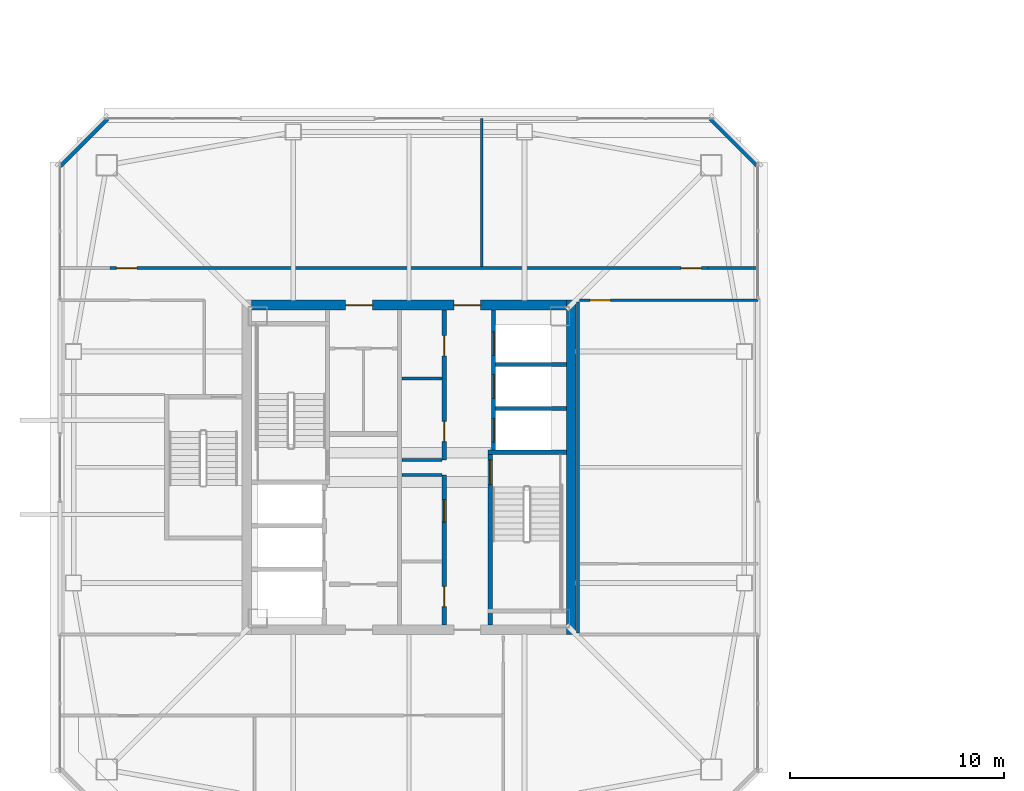
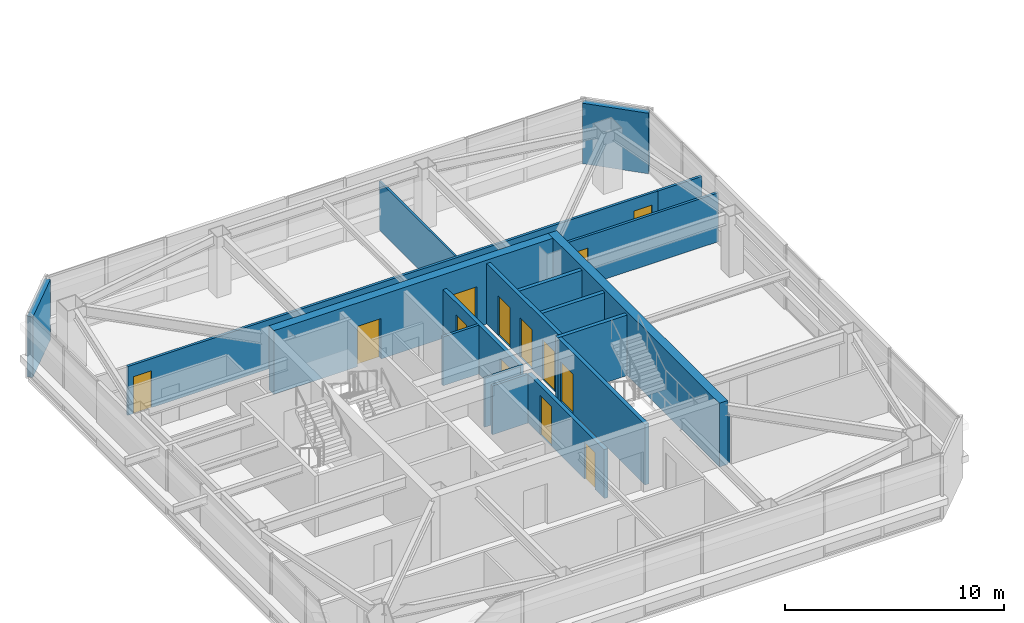
# One storey, part 35 of 44: 19 walls, 13 doors, 13 openings.
"""IFC4 building model written with IfcOpenShell, lengths in metres."""

from ifc_helpers import new_model, si_unit, direction, frame, frame_2d, origin, place, context, subcontext, project, spatial, rectangle, extrude, material, layer, layer_set, type_object, element, fill, save


model = new_model("IFC4")

# Units and contexts
model_context = context("Model", 3, precision=1e-05, world=origin(), true_north=direction((0.0, 1.0)))
body_context = subcontext(model_context, "Body", "Model", "MODEL_VIEW")
ifc_project = project(units=[si_unit("LENGTHUNIT", "METRE"), si_unit("AREAUNIT", "SQUARE_METRE"), si_unit("VOLUMEUNIT", "CUBIC_METRE"), si_unit("PLANEANGLEUNIT", "RADIAN"), si_unit("MASSUNIT", "GRAM", prefix="KILO")], contexts=[model_context])

# Site, building, storey
site_placement = place(None, origin())
site = spatial("IfcSite", under=ifc_project, at=site_placement, CompositionType="ELEMENT")
building_placement = place(site_placement, origin())
building = spatial("IfcBuilding", under=site, at=building_placement, Name="Tashvorn Skyway Center", CompositionType="ELEMENT")
storey_placement = place(building_placement, frame((0.0, 0.0, 211.300048828125)))
storey = spatial("IfcBuildingStorey", under=building, at=storey_placement, Name="L57", CompositionType="ELEMENT", Elevation=211.300048828125)

# Wall
ifc_material_1 = material(Name="Concrete C50/60", Category="concrete")
ifc_layer_1 = layer(ifc_material_1, 0.449951171875)
ifc_layer_set_1 = layer_set([ifc_layer_1], Name="Concrete C50/60")
wall_type_1 = type_object("IfcWallType", Name="WALL-CORE-450", PredefinedType="SHEAR", material=ifc_layer_set_1)
wall_1_placement = place(storey_placement, frame((49.574951171875, 39.800048828125, 0.0), z_axis=(0.0, 0.0, 1.0), x_axis=(0.0, -1.0, 0.0)))
element("IfcWall", 1, at=wall_1_placement, inside=storey, type_object=wall_type_1, Name="Tower 1 L57 East Core Shear Wall", PredefinedType="SHEAR", context=body_context, shape_type="SweptSolid", body=[
    extrude(rectangle(XDim=15.60009765625, YDim=0.449951171875, at=frame_2d((7.800048828125, 0.0))), origin(), (0.0, 0.0, 1.0), 3.550048828125),
])

# Wall, openings, doors
wall_2_placement = place(storey_placement, frame((34.64990234375, 39.574951171875, 0.0), z_axis=(0.0, 0.0, 1.0), x_axis=(1.0, 0.0, 0.0)))
wall_2 = element("IfcWall", 2, at=wall_2_placement, inside=storey, type_object=wall_type_1, Name="Tower 1 L57 North Core Shear Wall", PredefinedType="SHEAR", context=body_context, shape_type="SweptSolid", body=[
    extrude(rectangle(XDim=14.7001953125, YDim=0.449951171875, at=frame_2d((7.35009765625, 0.0))), origin(), (0.0, 0.0, 1.0), 3.550048828125),
])
opening_1_placement = place(wall_2_placement, frame((4.39990234375, 0.0, 0.0)))
opening_1 = element("IfcOpeningElement", 3, at=opening_1_placement, cuts=wall_2, Name="Opening D-FFL-1250", PredefinedType="OPENING", context=body_context, shape_type="SweptSolid", body=[
    extrude(rectangle(XDim=1.25, YDim=2.25, at=frame_2d((0.625, 1.125))), frame((0.0, 0.23486328125, 0.0), z_axis=(0.0, -1.0, 0.0), x_axis=(1.0, 0.0, 0.0)), (0.0, 0.0, 1.0), 0.469970703125),
])
opening_2_placement = place(wall_2_placement, frame((9.449951171875, 0.0, 0.0)))
opening_2 = element("IfcOpeningElement", 4, at=opening_2_placement, cuts=wall_2, Name="Opening D-FFL-1250", PredefinedType="OPENING", context=body_context, shape_type="SweptSolid", body=[
    extrude(rectangle(XDim=1.25, YDim=2.25, at=frame_2d((0.625, 1.125))), frame((0.0, 0.23486328125, 0.0), z_axis=(0.0, -1.0, 0.0), x_axis=(1.0, 0.0, 0.0)), (0.0, 0.0, 1.0), 0.469970703125),
])
ifc_material_2 = material(Name="Hollow galvanized steel fire door assembly", Category="steel")
door_type_1 = type_object("IfcDoorType", Name="DOOR-FFL-1250", OperationType="NOTDEFINED", PredefinedType="DOOR", material=ifc_material_2)
door_1_placement = place(opening_1_placement, origin())
door_1 = element("IfcDoor", 5, at=door_1_placement, inside=storey, type_object=door_type_1, Name="Tower 1 L57 Core North Service Lobby Door", OperationType="SINGLE_SWING_LEFT", OverallHeight=2.25, OverallWidth=1.25, PredefinedType="DOOR", context=body_context, shape_type="SweptSolid", body=[
    extrude(rectangle(XDim=1.25, YDim=2.25, at=frame_2d((0.625, 1.125))), frame((0.0, 0.02490234375, 0.0), z_axis=(0.0, -1.0, 0.0), x_axis=(1.0, 0.0, 0.0)), (0.0, 0.0, 1.0), 0.050048828125),
])
fill(opening_1, door_1)
door_2_placement = place(opening_2_placement, origin())
door_2 = element("IfcDoor", 6, at=door_2_placement, inside=storey, type_object=door_type_1, Name="Tower 1 L57 Core North Lift Lobby Door", OperationType="SINGLE_SWING_RIGHT", OverallHeight=2.25, OverallWidth=1.25, PredefinedType="DOOR", context=body_context, shape_type="SweptSolid", body=[
    extrude(rectangle(XDim=1.25, YDim=2.25, at=frame_2d((0.625, 1.125))), frame((0.0, 0.02490234375, 0.0), z_axis=(0.0, -1.0, 0.0), x_axis=(1.0, 0.0, 0.0)), (0.0, 0.0, 1.0), 0.050048828125),
])
fill(opening_2, door_2)

# Walls
ifc_material_3 = material(Name="Precast concrete C40/50", Category="concrete")
ifc_layer_2 = layer(ifc_material_3, 0.280029296875)
ifc_layer_set_2 = layer_set([ifc_layer_2], Name="Precast concrete C40/50")
wall_type_2 = type_object("IfcWallType", Name="WALL-EXT-280", PredefinedType="SOLIDWALL", material=ifc_layer_set_2)
for number, where, z_axis, x_axis, name in (
    (7, (25.699951171875, 46.10009765625, 0.0), (0.0, 0.0, 1.0), (0.707106781187, 0.707106781187, 0.0), "Tower 1 L57 NW Precast Chamfer Wall"),
    (8, (56.10009765625, 48.300048828125, 0.0), (0.0, 0.0, 1.0), (0.707106781187, -0.707106781187, 0.0), "Tower 1 L57 NE Precast Chamfer Wall"),
):
    element("IfcWall", number, at=place(storey_placement, frame(where, z_axis=z_axis, x_axis=x_axis)), inside=storey, type_object=wall_type_2, Name=name, PredefinedType="SOLIDWALL", context=body_context, shape_type="SweptSolid", body=[
        extrude(rectangle(XDim=3.111083984375, YDim=0.280029296875, at=frame_2d((1.5556640625, 0.0))), origin(), (0.0, 0.0, 1.0), 3.369873046875),
    ])
ifc_material_4 = material(Name="Gypsum board on cold-formed steel stud framing", Category="steel")
ifc_layer_3 = layer(ifc_material_4, 0.110107421875)
ifc_layer_set_3 = layer_set([ifc_layer_3], Name="Gypsum board on cold-formed steel stud framing")
wall_type_3 = type_object("IfcWallType", Name="WALL-PART-110", PredefinedType="PARTITIONING", material=ifc_layer_set_3)
wall_3_placement = place(storey_placement, frame((45.39990234375, 41.3798828125, 0.0), z_axis=(0.0, 0.0, 1.0), x_axis=(0.0, 1.0, 0.0)))
element("IfcWall", 9, at=wall_3_placement, inside=storey, type_object=wall_type_3, Name="Tower 1 L57 North Suite Partition 1", PredefinedType="PARTITIONING", context=body_context, shape_type="SweptSolid", body=[
    extrude(rectangle(XDim=6.900146484375, YDim=0.110107421875, at=frame_2d((3.4501953125, 0.0))), origin(), (0.0, 0.0, 1.0), 2.722900390625),
])

# Wall, openings, doors
ifc_layer_4 = layer(ifc_material_4, 0.135009765625)
ifc_layer_set_4 = layer_set([ifc_layer_4], Name="Gypsum board on cold-formed steel stud framing")
wall_type_4 = type_object("IfcWallType", Name="WALL-PART-135", PredefinedType="PARTITIONING", material=ifc_layer_set_4)
wall_4_placement = place(storey_placement, frame((28.050048828125, 41.300048828125, 0.0), z_axis=(0.0, 0.0, 1.0), x_axis=(1.0, 0.0, 0.0)))
wall_4 = element("IfcWall", 10, at=wall_4_placement, inside=storey, type_object=wall_type_4, Name="Tower 1 L57 North Suite Wall", PredefinedType="PARTITIONING", context=body_context, shape_type="SweptSolid", body=[
    extrude(rectangle(XDim=27.89990234375, YDim=0.135009765625, at=frame_2d((13.949951171875, 0.0))), origin(), (0.0, 0.0, 1.0), 2.722900390625),
])
opening_3_placement = place(wall_4_placement, frame((0.300048828125, 0.0, 0.0)))
opening_3 = element("IfcOpeningElement", 11, at=opening_3_placement, cuts=wall_4, Name="Opening D-INT-950", PredefinedType="OPENING", context=body_context, shape_type="SweptSolid", body=[
    extrude(rectangle(XDim=0.949951171875, YDim=2.050048828125, at=frame_2d((0.47509765625, 1.02490234375))), frame((0.0, 0.077392578125, 0.0), z_axis=(0.0, -1.0, 0.0), x_axis=(1.0, 0.0, 0.0)), (0.0, 0.0, 1.0), 0.155029296875),
])
opening_4_placement = place(wall_4_placement, frame((26.64990234375, 0.0, 0.0)))
opening_4 = element("IfcOpeningElement", 12, at=opening_4_placement, cuts=wall_4, Name="Opening D-INT-950", PredefinedType="OPENING", context=body_context, shape_type="SweptSolid", body=[
    extrude(rectangle(XDim=0.949951171875, YDim=2.050048828125, at=frame_2d((0.47509765625, 1.02490234375))), frame((0.0, 0.077392578125, 0.0), z_axis=(0.0, -1.0, 0.0), x_axis=(1.0, 0.0, 0.0)), (0.0, 0.0, 1.0), 0.155029296875),
])
ifc_material_5 = material(Name="Solid-core architectural oak veneer door")
door_type_2 = type_object("IfcDoorType", Name="DOOR-INT-950", OperationType="NOTDEFINED", PredefinedType="DOOR", material=ifc_material_5)
door_3_placement = place(opening_3_placement, origin())
door_3 = element("IfcDoor", 13, at=door_3_placement, inside=storey, type_object=door_type_2, Name="Tower 1 L57 Wellness Clinic Door", OperationType="SINGLE_SWING_RIGHT", OverallHeight=2.050048828125, OverallWidth=0.949951171875, PredefinedType="DOOR", context=body_context, shape_type="SweptSolid", body=[
    extrude(rectangle(XDim=0.949951171875, YDim=2.050048828125, at=frame_2d((0.47509765625, 1.02490234375))), frame((0.0, 0.02490234375, 0.0), z_axis=(0.0, -1.0, 0.0), x_axis=(1.0, 0.0, 0.0)), (0.0, 0.0, 1.0), 0.050048828125),
])
fill(opening_3, door_3)
door_4_placement = place(opening_4_placement, origin())
door_4 = element("IfcDoor", 14, at=door_4_placement, inside=storey, type_object=door_type_2, Name="Tower 1 L57 Wellness Clinic Door", OperationType="SINGLE_SWING_LEFT", OverallHeight=2.050048828125, OverallWidth=0.949951171875, PredefinedType="DOOR", context=body_context, shape_type="SweptSolid", body=[
    extrude(rectangle(XDim=0.949951171875, YDim=2.050048828125, at=frame_2d((0.47509765625, 1.02490234375))), frame((0.0, 0.02490234375, 0.0), z_axis=(0.0, -1.0, 0.0), x_axis=(1.0, 0.0, 0.0)), (0.0, 0.0, 1.0), 0.050048828125),
])
fill(opening_4, door_4)

# Walls
wall_5_placement = place(storey_placement, frame((55.949951171875, 41.300048828125, 0.0), z_axis=(0.0, 0.0, 1.0), x_axis=(1.0, 0.0, 0.0)))
element("IfcWall", 15, at=wall_5_placement, inside=storey, type_object=wall_type_4, Name="Tower 1 L57 North-East Suite South Wall", PredefinedType="PARTITIONING", context=body_context, shape_type="SweptSolid", body=[
    extrude(rectangle(XDim=2.330078125, YDim=0.135009765625, at=frame_2d((1.1650390625, 0.0))), origin(), (0.0, 0.0, 1.0), 2.722900390625),
])
wall_6_placement = place(storey_placement, frame((49.8798828125, 39.719970703125, 0.0), z_axis=(0.0, 0.0, 1.0), x_axis=(0.0, -1.0, 0.0)))
element("IfcWall", 16, at=wall_6_placement, inside=storey, type_object=wall_type_4, Name="Tower 1 L57 East Inner Suite Wall", PredefinedType="PARTITIONING", context=body_context, shape_type="SweptSolid", body=[
    extrude(rectangle(XDim=15.43994140625, YDim=0.135009765625, at=frame_2d((7.719970703125, 0.0))), origin(), (0.0, 0.0, 1.0), 2.722900390625),
])

# Wall, opening, door
wall_7_placement = place(storey_placement, frame((58.280029296875, 39.800048828125, 0.0), z_axis=(0.0, 0.0, 1.0), x_axis=(-1.0, 0.0, 0.0)))
wall_7 = element("IfcWall", 17, at=wall_7_placement, inside=storey, type_object=wall_type_4, Name="Tower 1 L57 East Suite North Wall", PredefinedType="PARTITIONING", context=body_context, shape_type="SweptSolid", body=[
    extrude(rectangle(XDim=8.320068359375, YDim=0.135009765625, at=frame_2d((4.16015625, 0.0))), origin(), (0.0, 0.0, 1.0), 2.722900390625),
])
opening_5_placement = place(wall_7_placement, frame((6.8798828125, 0.0, 0.0)))
opening_5 = element("IfcOpeningElement", 18, at=opening_5_placement, cuts=wall_7, Name="Opening D-INT-950", PredefinedType="OPENING", context=body_context, shape_type="SweptSolid", body=[
    extrude(rectangle(XDim=0.949951171875, YDim=2.050048828125, at=frame_2d((0.47509765625, 1.02490234375))), frame((0.0, 0.077392578125, 0.0), z_axis=(0.0, -1.0, 0.0), x_axis=(1.0, 0.0, 0.0)), (0.0, 0.0, 1.0), 0.155029296875),
])
door_5_placement = place(opening_5_placement, origin())
door_5 = element("IfcDoor", 19, at=door_5_placement, inside=storey, type_object=door_type_2, Name="Tower 1 L57 Operations Control Room Door", OperationType="SINGLE_SWING_LEFT", OverallHeight=2.050048828125, OverallWidth=0.949951171875, PredefinedType="DOOR", context=body_context, shape_type="SweptSolid", body=[
    extrude(rectangle(XDim=0.949951171875, YDim=2.050048828125, at=frame_2d((0.47509765625, 1.02490234375))), frame((0.0, 0.02490234375, 0.0), z_axis=(0.0, -1.0, 0.0), x_axis=(1.0, 0.0, 0.0)), (0.0, 0.0, 1.0), 0.050048828125),
])
fill(opening_5, door_5)

# Walls
ifc_layer_5 = layer(ifc_material_4, 0.135009765625)
ifc_layer_set_5 = layer_set([ifc_layer_5], Name="Gypsum board on cold-formed steel stud framing")
wall_type_5 = type_object("IfcWallType", Name="WALL-RATED-135", PredefinedType="PARTITIONING", material=ifc_layer_set_5)
for number, where, z_axis, x_axis, name in (
    (20, (41.669921875, 31.64990234375, 0.0), (0.0, 0.0, 1.0), (1.0, 0.0, 0.0), "Tower 1 L57 Core Room Partition"),
    (21, (41.669921875, 32.35009765625, 0.0), (0.0, 0.0, 1.0), (1.0, 0.0, 0.0), "Tower 1 L57 Core Room Partition"),
    (22, (41.669921875, 36.14990234375, 0.0), (0.0, 0.0, 1.0), (1.0, 0.0, 0.0), "Tower 1 L57 Freed Mid-Rise Partition"),
):
    element("IfcWall", number, at=place(storey_placement, frame(where, z_axis=z_axis, x_axis=x_axis)), inside=storey, type_object=wall_type_5, Name=name, PredefinedType="PARTITIONING", context=body_context, shape_type="SweptSolid", body=[
        extrude(rectangle(XDim=1.880126953125, YDim=0.135009765625, at=frame_2d((0.93994140625, 0.0))), origin(), (0.0, 0.0, 1.0), 2.722900390625),
    ])
ifc_material_6 = material(Name="Concrete C40/50", Category="concrete")
ifc_layer_6 = layer(ifc_material_6, 0.199951171875)
ifc_layer_set_6 = layer_set([ifc_layer_6], Name="Concrete C40/50")
wall_type_6 = type_object("IfcWallType", Name="WALL-SHAFT-200", PredefinedType="SOLIDWALL", material=ifc_layer_set_6)
for number, where, z_axis, x_axis, name in (
    (23, (46.050048828125, 34.75, 0.0), (0.0, 0.0, 1.0), (1.0, 0.0, 0.0), "Tower 1 L57 High-Rise Shaft Divider"),
    (24, (46.050048828125, 36.800048828125, 0.0), (0.0, 0.0, 1.0), (1.0, 0.0, 0.0), "Tower 1 L57 High-Rise Shaft Divider"),
):
    element("IfcWall", number, at=place(storey_placement, frame(where, z_axis=z_axis, x_axis=x_axis)), inside=storey, type_object=wall_type_6, Name=name, PredefinedType="SOLIDWALL", context=body_context, shape_type="SweptSolid", body=[
        extrude(rectangle(XDim=3.300048828125, YDim=0.199951171875, at=frame_2d((1.64990234375, 0.0))), origin(), (0.0, 0.0, 1.0), 3.369873046875),
    ])

# Wall, openings, doors
wall_8_placement = place(storey_placement, frame((43.64990234375, 24.64990234375, 0.0), z_axis=(0.0, 0.0, 1.0), x_axis=(0.0, 1.0, 0.0)))
wall_8 = element("IfcWall", 25, at=wall_8_placement, inside=storey, type_object=wall_type_6, Name="Tower 1 L57 Low-Rise Core Wall", PredefinedType="SOLIDWALL", context=body_context, shape_type="SweptSolid", body=[
    extrude(rectangle(XDim=7.0, YDim=0.199951171875, at=frame_2d((3.5, 0.0))), origin(), (0.0, 0.0, 1.0), 2.722900390625),
])
opening_6_placement = place(wall_8_placement, frame((0.85009765625, 0.0, 0.0)))
opening_6 = element("IfcOpeningElement", 26, at=opening_6_placement, cuts=wall_8, Name="Opening D-RT-950", PredefinedType="OPENING", context=body_context, shape_type="SweptSolid", body=[
    extrude(rectangle(XDim=0.949951171875, YDim=2.050048828125, at=frame_2d((0.47509765625, 1.02490234375))), frame((0.0, 0.10986328125, 0.0), z_axis=(0.0, -1.0, 0.0), x_axis=(1.0, 0.0, 0.0)), (0.0, 0.0, 1.0), 0.219970703125),
])
opening_7_placement = place(wall_8_placement, frame((4.800048828125, 0.0, 0.0)))
opening_7 = element("IfcOpeningElement", 27, at=opening_7_placement, cuts=wall_8, Name="Opening D-RT-1050", PredefinedType="OPENING", context=body_context, shape_type="SweptSolid", body=[
    extrude(rectangle(XDim=1.050048828125, YDim=2.199951171875, at=frame_2d((0.52490234375, 1.10009765625))), frame((0.0, 0.10986328125, 0.0), z_axis=(0.0, -1.0, 0.0), x_axis=(1.0, 0.0, 0.0)), (0.0, 0.0, 1.0), 0.219970703125),
])
door_type_3 = type_object("IfcDoorType", Name="DOOR-RATED-1050", OperationType="NOTDEFINED", PredefinedType="DOOR", material=ifc_material_2)
door_6_placement = place(opening_7_placement, origin())
door_6 = element("IfcDoor", 28, at=door_6_placement, inside=storey, type_object=door_type_3, Name="Tower 1 L57 Freed Core Room Door", OperationType="SINGLE_SWING_RIGHT", OverallHeight=2.199951171875, OverallWidth=1.050048828125, PredefinedType="DOOR", context=body_context, shape_type="SweptSolid", body=[
    extrude(rectangle(XDim=1.050048828125, YDim=2.199951171875, at=frame_2d((0.52490234375, 1.10009765625))), frame((0.0, 0.02490234375, 0.0), z_axis=(0.0, -1.0, 0.0), x_axis=(1.0, 0.0, 0.0)), (0.0, 0.0, 1.0), 0.050048828125),
])
fill(opening_7, door_6)
door_type_4 = type_object("IfcDoorType", Name="DOOR-RATED-950", OperationType="NOTDEFINED", PredefinedType="DOOR", material=ifc_material_2)
door_7_placement = place(opening_6_placement, origin())
door_7 = element("IfcDoor", 29, at=door_7_placement, inside=storey, type_object=door_type_4, Name="Tower 1 L57 Core Print Room Door", OperationType="SINGLE_SWING_LEFT", OverallHeight=2.050048828125, OverallWidth=0.949951171875, PredefinedType="DOOR", context=body_context, shape_type="SweptSolid", body=[
    extrude(rectangle(XDim=0.949951171875, YDim=2.050048828125, at=frame_2d((0.47509765625, 1.02490234375))), frame((0.0, 0.02490234375, 0.0), z_axis=(0.0, -1.0, 0.0), x_axis=(1.0, 0.0, 0.0)), (0.0, 0.0, 1.0), 0.050048828125),
])
fill(opening_6, door_7)

wall_9_placement = place(storey_placement, frame((43.64990234375, 32.35009765625, 0.0), z_axis=(0.0, 0.0, 1.0), x_axis=(0.0, 1.0, 0.0)))
wall_9 = element("IfcWall", 30, at=wall_9_placement, inside=storey, type_object=wall_type_6, Name="Tower 1 L57 Mid-Rise Core Wall", PredefinedType="SOLIDWALL", context=body_context, shape_type="SweptSolid", body=[
    extrude(rectangle(XDim=7.0, YDim=0.199951171875, at=frame_2d((3.5, 0.0))), origin(), (0.0, 0.0, 1.0), 2.722900390625),
])
opening_8_placement = place(wall_9_placement, frame((0.85009765625, 0.0, 0.0)))
opening_8 = element("IfcOpeningElement", 31, at=opening_8_placement, cuts=wall_9, Name="Opening D-RT-950", PredefinedType="OPENING", context=body_context, shape_type="SweptSolid", body=[
    extrude(rectangle(XDim=0.949951171875, YDim=2.050048828125, at=frame_2d((0.47509765625, 1.02490234375))), frame((0.0, 0.10986328125, 0.0), z_axis=(0.0, -1.0, 0.0), x_axis=(1.0, 0.0, 0.0)), (0.0, 0.0, 1.0), 0.219970703125),
])
opening_9_placement = place(wall_9_placement, frame((4.85009765625, 0.0, 0.0)))
opening_9 = element("IfcOpeningElement", 32, at=opening_9_placement, cuts=wall_9, Name="Opening D-RT-950", PredefinedType="OPENING", context=body_context, shape_type="SweptSolid", body=[
    extrude(rectangle(XDim=0.949951171875, YDim=2.050048828125, at=frame_2d((0.47509765625, 1.02490234375))), frame((0.0, 0.10986328125, 0.0), z_axis=(0.0, -1.0, 0.0), x_axis=(1.0, 0.0, 0.0)), (0.0, 0.0, 1.0), 0.219970703125),
])
door_8_placement = place(opening_8_placement, origin())
door_8 = element("IfcDoor", 33, at=door_8_placement, inside=storey, type_object=door_type_4, Name="Tower 1 L57 Core IT Room Door", OperationType="SINGLE_SWING_RIGHT", OverallHeight=2.050048828125, OverallWidth=0.949951171875, PredefinedType="DOOR", context=body_context, shape_type="SweptSolid", body=[
    extrude(rectangle(XDim=0.949951171875, YDim=2.050048828125, at=frame_2d((0.47509765625, 1.02490234375))), frame((0.0, 0.02490234375, 0.0), z_axis=(0.0, -1.0, 0.0), x_axis=(1.0, 0.0, 0.0)), (0.0, 0.0, 1.0), 0.050048828125),
])
fill(opening_8, door_8)
door_9_placement = place(opening_9_placement, origin())
door_9 = element("IfcDoor", 34, at=door_9_placement, inside=storey, type_object=door_type_4, Name="Tower 1 L57 Core Catering Pantry Door", OperationType="SINGLE_SWING_LEFT", OverallHeight=2.050048828125, OverallWidth=0.949951171875, PredefinedType="DOOR", context=body_context, shape_type="SweptSolid", body=[
    extrude(rectangle(XDim=0.949951171875, YDim=2.050048828125, at=frame_2d((0.47509765625, 1.02490234375))), frame((0.0, 0.02490234375, 0.0), z_axis=(0.0, -1.0, 0.0), x_axis=(1.0, 0.0, 0.0)), (0.0, 0.0, 1.0), 0.050048828125),
])
fill(opening_9, door_9)

# Wall, opening, door
ifc_layer_7 = layer(ifc_material_6, 0.199951171875)
ifc_layer_set_7 = layer_set([ifc_layer_7], Name="Concrete C40/50")
wall_type_7 = type_object("IfcWallType", Name="WALL-STSHF-200", PredefinedType="SHEAR", material=ifc_layer_set_7)
wall_10_placement = place(storey_placement, frame((45.800048828125, 32.800048828125, 0.0), z_axis=(0.0, 0.0, 1.0), x_axis=(0.0, -1.0, 0.0)))
wall_10 = element("IfcWall", 35, at=wall_10_placement, inside=storey, type_object=wall_type_7, Name="Tower 1 L57 Stair 2 Enclosure Wall", PredefinedType="SHEAR", context=body_context, shape_type="SweptSolid", body=[
    extrude(rectangle(XDim=8.150146484375, YDim=0.199951171875, at=frame_2d((4.0751953125, 0.0))), origin(), (0.0, 0.0, 1.0), 3.369873046875),
])
opening_10_placement = place(wall_10_placement, frame((0.449951171875, 0.0, 0.0)))
opening_10 = element("IfcOpeningElement", 36, at=opening_10_placement, cuts=wall_10, Name="Opening D-ST-1150", PredefinedType="OPENING", context=body_context, shape_type="SweptSolid", body=[
    extrude(rectangle(XDim=1.14990234375, YDim=2.199951171875, at=frame_2d((0.574951171875, 1.10009765625))), frame((0.0, 0.10986328125, 0.0), z_axis=(0.0, -1.0, 0.0), x_axis=(1.0, 0.0, 0.0)), (0.0, 0.0, 1.0), 0.219970703125),
])
door_type_5 = type_object("IfcDoorType", Name="DOOR-STAIR-1150", OperationType="NOTDEFINED", PredefinedType="DOOR", material=ifc_material_2)
door_10_placement = place(opening_10_placement, origin())
door_10 = element("IfcDoor", 37, at=door_10_placement, inside=storey, type_object=door_type_5, Name="Tower 1 L57 Exit Stair 2 Door", OperationType="SINGLE_SWING_RIGHT", OverallHeight=2.199951171875, OverallWidth=1.14990234375, PredefinedType="DOOR", context=body_context, shape_type="SweptSolid", body=[
    extrude(rectangle(XDim=1.14990234375, YDim=2.199951171875, at=frame_2d((0.574951171875, 1.10009765625))), frame((0.0, 0.02490234375, 0.0), z_axis=(0.0, -1.0, 0.0), x_axis=(1.0, 0.0, 0.0)), (0.0, 0.0, 1.0), 0.050048828125),
])
fill(opening_10, door_10)

# Wall
wall_11_placement = place(storey_placement, frame((45.699951171875, 32.699951171875, 0.0), z_axis=(0.0, 0.0, 1.0), x_axis=(1.0, 0.0, 0.0)))
element("IfcWall", 38, at=wall_11_placement, inside=storey, type_object=wall_type_7, Name="Tower 1 L57 Stair 2 North Wall", PredefinedType="SHEAR", context=body_context, shape_type="SweptSolid", body=[
    extrude(rectangle(XDim=3.650146484375, YDim=0.199951171875, at=frame_2d((1.8251953125, 0.0))), origin(), (0.0, 0.0, 1.0), 3.369873046875),
])

# Wall, openings, doors
wall_12_placement = place(storey_placement, frame((45.949951171875, 39.35009765625, 0.0), z_axis=(0.0, 0.0, 1.0), x_axis=(0.0, -1.0, 0.0)))
wall_12 = element("IfcWall", 39, at=wall_12_placement, inside=storey, type_object=wall_type_7, Name="Tower 1 L57 High-Rise Lift Shaft Front Wall", PredefinedType="SHEAR", context=body_context, shape_type="SweptSolid", body=[
    extrude(rectangle(XDim=6.550048828125, YDim=0.199951171875, at=frame_2d((3.27490234375, 0.0))), origin(), (0.0, 0.0, 1.0), 3.369873046875),
])
opening_11_placement = place(wall_12_placement, frame((5.074951171875, 0.0, 0.0)))
opening_11 = element("IfcOpeningElement", 40, at=opening_11_placement, cuts=wall_12, Name="Opening LD-HR-T1-1-L57", PredefinedType="OPENING", context=body_context, shape_type="SweptSolid", body=[
    extrude(rectangle(XDim=1.10009765625, YDim=2.199951171875, at=frame_2d((0.550048828125, 1.10009765625))), frame((0.0, 0.10986328125, 0.0), z_axis=(0.0, -1.0, 0.0), x_axis=(1.0, 0.0, 0.0)), (0.0, 0.0, 1.0), 0.219970703125),
])
opening_12_placement = place(wall_12_placement, frame((3.02490234375, 0.0, 0.0)))
opening_12 = element("IfcOpeningElement", 41, at=opening_12_placement, cuts=wall_12, Name="Opening LD-HR-T1-2-L57", PredefinedType="OPENING", context=body_context, shape_type="SweptSolid", body=[
    extrude(rectangle(XDim=1.10009765625, YDim=2.199951171875, at=frame_2d((0.550048828125, 1.10009765625))), frame((0.0, 0.10986328125, 0.0), z_axis=(0.0, -1.0, 0.0), x_axis=(1.0, 0.0, 0.0)), (0.0, 0.0, 1.0), 0.219970703125),
])
opening_13_placement = place(wall_12_placement, frame((1.02490234375, 0.0, 0.0)))
opening_13 = element("IfcOpeningElement", 42, at=opening_13_placement, cuts=wall_12, Name="Opening LD-HR-T1-3-L57", PredefinedType="OPENING", context=body_context, shape_type="SweptSolid", body=[
    extrude(rectangle(XDim=1.10009765625, YDim=2.199951171875, at=frame_2d((0.550048828125, 1.10009765625))), frame((0.0, 0.10986328125, 0.0), z_axis=(0.0, -1.0, 0.0), x_axis=(1.0, 0.0, 0.0)), (0.0, 0.0, 1.0), 0.219970703125),
])
ifc_material_7 = material(Name="Stainless steel landing door", Category="steel")
door_type_6 = type_object("IfcDoorType", Name="DOOR-LIFT-1100", OperationType="SLIDING_TO_LEFT", PredefinedType="DOOR", material=ifc_material_7)
door_11_placement = place(opening_11_placement, origin())
door_11 = element("IfcDoor", 43, at=door_11_placement, inside=storey, type_object=door_type_6, Name="Lift HR-T1-1 L57 Landing Door", OperationType="SLIDING_TO_LEFT", OverallHeight=2.199951171875, OverallWidth=1.10009765625, PredefinedType="DOOR", context=body_context, shape_type="SweptSolid", body=[
    extrude(rectangle(XDim=1.10009765625, YDim=2.199951171875, at=frame_2d((0.550048828125, 1.10009765625))), frame((0.0, 0.02490234375, 0.0), z_axis=(0.0, -1.0, 0.0), x_axis=(1.0, 0.0, 0.0)), (0.0, 0.0, 1.0), 0.050048828125),
])
fill(opening_11, door_11)
door_12_placement = place(opening_12_placement, origin())
door_12 = element("IfcDoor", 44, at=door_12_placement, inside=storey, type_object=door_type_6, Name="Lift HR-T1-2 L57 Landing Door", OperationType="SLIDING_TO_LEFT", OverallHeight=2.199951171875, OverallWidth=1.10009765625, PredefinedType="DOOR", context=body_context, shape_type="SweptSolid", body=[
    extrude(rectangle(XDim=1.10009765625, YDim=2.199951171875, at=frame_2d((0.550048828125, 1.10009765625))), frame((0.0, 0.02490234375, 0.0), z_axis=(0.0, -1.0, 0.0), x_axis=(1.0, 0.0, 0.0)), (0.0, 0.0, 1.0), 0.050048828125),
])
fill(opening_12, door_12)
door_13_placement = place(opening_13_placement, origin())
door_13 = element("IfcDoor", 45, at=door_13_placement, inside=storey, type_object=door_type_6, Name="Lift HR-T1-3 L57 Landing Door", OperationType="SLIDING_TO_LEFT", OverallHeight=2.199951171875, OverallWidth=1.10009765625, PredefinedType="DOOR", context=body_context, shape_type="SweptSolid", body=[
    extrude(rectangle(XDim=1.10009765625, YDim=2.199951171875, at=frame_2d((0.550048828125, 1.10009765625))), frame((0.0, 0.02490234375, 0.0), z_axis=(0.0, -1.0, 0.0), x_axis=(1.0, 0.0, 0.0)), (0.0, 0.0, 1.0), 0.050048828125),
])
fill(opening_13, door_13)

save(model, "model.ifc")
